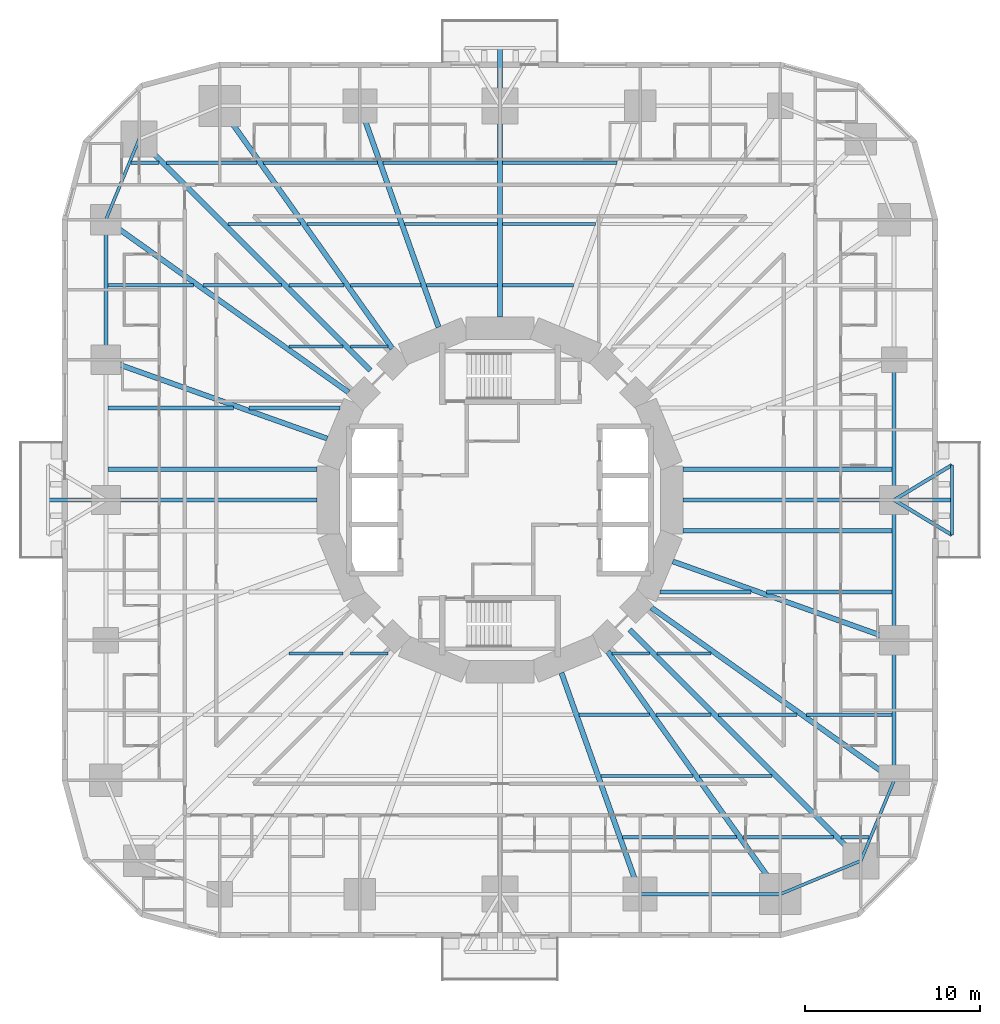
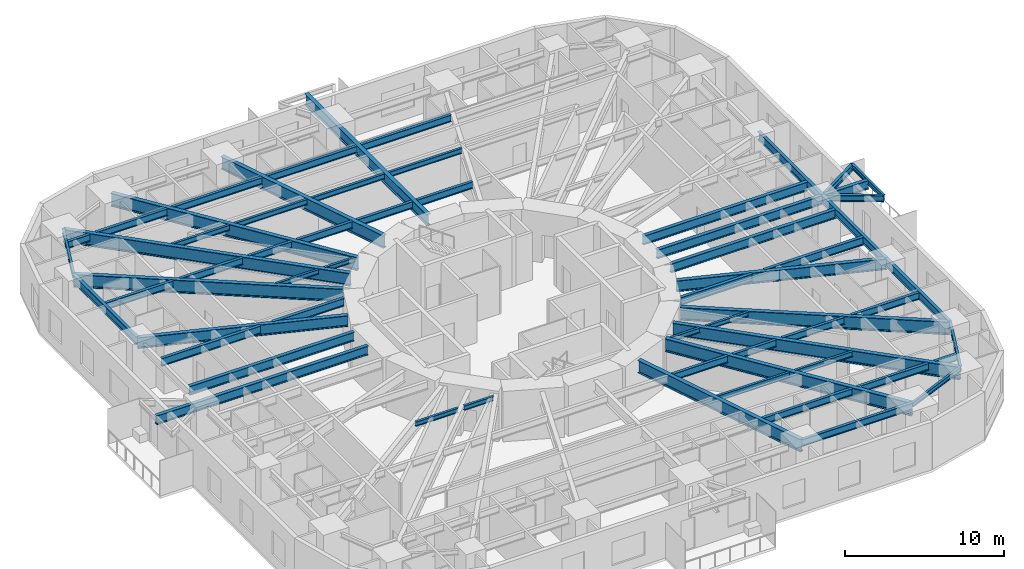
# One storey, part 2 of 14: 61 beams.
"""IFC4 building model written with IfcOpenShell, lengths in metres."""

from ifc_helpers import new_model, si_unit, direction, frame, origin, origin_2d, place, context, subcontext, project, spatial, i_section, extrude, material, material_profile, profile_set, type_object, element, save


model = new_model("IFC4")

# Units and contexts
model_context = context("Model", 3, precision=1e-05, world=origin(), true_north=direction((0.0, 1.0)))
body_context = subcontext(model_context, "Body", "Model", "MODEL_VIEW")
ifc_project = project(units=[si_unit("LENGTHUNIT", "METRE"), si_unit("AREAUNIT", "SQUARE_METRE"), si_unit("VOLUMEUNIT", "CUBIC_METRE"), si_unit("PLANEANGLEUNIT", "RADIAN"), si_unit("MASSUNIT", "GRAM", prefix="KILO")], contexts=[model_context])

# Site, building, storey
site_placement = place(None, origin())
site = spatial("IfcSite", under=ifc_project, at=site_placement, CompositionType="ELEMENT")
building_placement = place(site_placement, origin())
building = spatial("IfcBuilding", under=site, at=building_placement, Name="Nakasero Lantern House", CompositionType="ELEMENT")
storey_placement = place(building_placement, frame((0.0, 0.0, 39.10009765625)))
storey = spatial("IfcBuildingStorey", under=building, at=storey_placement, Name="L09", CompositionType="ELEMENT", Elevation=39.10009765625)

# Beams
ifc_material_1 = material(Name="Steel S355", Category="steel")
ifc_material_profile_1 = material_profile(ifc_material_1, i_section(OverallWidth=0.199462890625, OverallDepth=0.491943359375, WebThickness=0.01806640625, FlangeThickness=0.031982421875, FilletRadius=0.01025390625, at=origin_2d()), Name="UB 457x191x161")
ifc_profile_set_1 = profile_set([ifc_material_profile_1], Name="Steel S355")
beam_type_1 = type_object("IfcBeamType", Name="Balcony splay beam UB 457x191x161", PredefinedType="BEAM", material=ifc_profile_set_1)
for number, where, z_axis, x_axis, name in (
    (1, (22.5, 0.0, 3.40380859375), (0.855201230787, 0.518296107317, 0.0), (-0.518296107317, 0.855201230787, 0.0), "Balcony splay beam L10 B1-C03A"),
    (2, (22.5, 0.0, 3.40380859375), (0.855201230787, -0.518296107317, 0.0), (0.518296107317, 0.855201230787, 0.0), "Balcony splay beam L10 B1-C03B"),
):
    element("IfcBeam", number, at=place(storey_placement, frame(where, z_axis=z_axis, x_axis=x_axis)), inside=storey, type_object=beam_type_1, Name=name, PredefinedType="BEAM", context=body_context, shape_type="SweptSolid", body=[
        extrude(i_section(OverallWidth=0.199462890625, OverallDepth=0.491943359375, WebThickness=0.01806640625, FlangeThickness=0.031982421875, FilletRadius=0.01025390625, at=origin_2d()), origin(), (0.0, 0.0, 1.0), 3.85888671875),
    ])
ifc_material_2 = material(Name="Steel S355", Category="steel")
ifc_material_profile_2 = material_profile(ifc_material_2, i_section(OverallWidth=0.17138671875, OverallDepth=0.35498046875, WebThickness=0.00732421875, FlangeThickness=0.011474609375, FilletRadius=0.01025390625, at=origin_2d()), Name="UB 356x171x51")
ifc_profile_set_2 = profile_set([ifc_material_profile_2], Name="Steel S355")
beam_type_2 = type_object("IfcBeamType", Name="Balcony tie beam UB 356x171x51", PredefinedType="BEAM", material=ifc_profile_set_2)
beam_1_placement = place(storey_placement, frame((25.800048828125, 2.0, 3.472412109375), z_axis=(0.0, -1.0, 0.0), x_axis=(1.0, 0.0, 0.0)))
element("IfcBeam", 3, at=beam_1_placement, inside=storey, type_object=beam_type_2, Name="Balcony tie beam L10 B1-C03", PredefinedType="BEAM", context=body_context, shape_type="SweptSolid", body=[
    extrude(i_section(OverallWidth=0.17138671875, OverallDepth=0.35498046875, WebThickness=0.00732421875, FlangeThickness=0.011474609375, FilletRadius=0.01025390625, at=origin_2d()), origin(), (0.0, 0.0, 1.0), 4.0),
])
ifc_material_3 = material(Name="Steel S355", Category="steel")
ifc_material_profile_3 = material_profile(ifc_material_3, i_section(OverallWidth=0.17138671875, OverallDepth=0.35498046875, WebThickness=0.00732421875, FlangeThickness=0.011474609375, FilletRadius=0.01025390625, at=origin_2d()), Name="UB 356x171x51")
ifc_profile_set_3 = profile_set([ifc_material_profile_3], Name="Steel S355")
beam_type_3 = type_object("IfcBeamType", Name="Infill beam UB 356x171x51", PredefinedType="JOIST", material=ifc_profile_set_3)
beam_2_placement = place(storey_placement, frame((-12.0458984375, -8.75, 3.472412109375), z_axis=(1.0, 0.0, 0.0), x_axis=(0.0, 1.0, 0.0)))
element("IfcBeam", 4, at=beam_2_placement, inside=storey, type_object=beam_type_3, Name="Infill beam L10 05.1", PredefinedType="JOIST", context=body_context, shape_type="SweptSolid", body=[
    extrude(i_section(OverallWidth=0.17138671875, OverallDepth=0.35498046875, WebThickness=0.00732421875, FlangeThickness=0.011474609375, FilletRadius=0.01025390625, at=origin_2d()), origin(), (0.0, 0.0, 1.0), 3.083740234375),
])
for number, where, z_axis, x_axis, name in (
    (5, (-8.537841796875, -8.75, 3.472412109375), (1.0, 0.0, 0.0), (0.0, 1.0, 0.0), "Infill beam L10 05.2"),
    (6, (6.40625, -8.75, 3.472412109375), (1.0, 0.0, 0.0), (0.0, 1.0, 0.0), "Infill beam L10 05.3"),
):
    element("IfcBeam", number, at=place(storey_placement, frame(where, z_axis=z_axis, x_axis=x_axis)), inside=storey, type_object=beam_type_3, Name=name, PredefinedType="JOIST", context=body_context, shape_type="SweptSolid", body=[
        extrude(i_section(OverallWidth=0.17138671875, OverallDepth=0.35498046875, WebThickness=0.00732421875, FlangeThickness=0.011474609375, FilletRadius=0.01025390625, at=origin_2d()), origin(), (0.0, 0.0, 1.0), 2.131591796875),
    ])
for number, where, z_axis, x_axis, name in (
    (7, (8.962158203125, -8.75, 3.472412109375), (1.0, 0.0, 0.0), (0.0, 1.0, 0.0), "Infill beam L10 05.4"),
    (8, (-12.0458984375, 8.75, 3.472412109375), (1.0, 0.0, 0.0), (0.0, 1.0, 0.0), "Infill beam L10 10.1"),
):
    element("IfcBeam", number, at=place(storey_placement, frame(where, z_axis=z_axis, x_axis=x_axis)), inside=storey, type_object=beam_type_3, Name=name, PredefinedType="JOIST", context=body_context, shape_type="SweptSolid", body=[
        extrude(i_section(OverallWidth=0.17138671875, OverallDepth=0.35498046875, WebThickness=0.00732421875, FlangeThickness=0.011474609375, FilletRadius=0.01025390625, at=origin_2d()), origin(), (0.0, 0.0, 1.0), 3.083740234375),
    ])
beam_3_placement = place(storey_placement, frame((-8.537841796875, 8.75, 3.472412109375), z_axis=(1.0, 0.0, 0.0), x_axis=(0.0, 1.0, 0.0)))
element("IfcBeam", 9, at=beam_3_placement, inside=storey, type_object=beam_type_3, Name="Infill beam L10 10.2", PredefinedType="JOIST", context=body_context, shape_type="SweptSolid", body=[
    extrude(i_section(OverallWidth=0.17138671875, OverallDepth=0.35498046875, WebThickness=0.00732421875, FlangeThickness=0.011474609375, FilletRadius=0.01025390625, at=origin_2d()), origin(), (0.0, 0.0, 1.0), 2.131591796875),
])
ifc_material_4 = material(Name="Steel S355", Category="steel")
ifc_material_profile_4 = material_profile(ifc_material_4, i_section(OverallWidth=0.177978515625, OverallDepth=0.406494140625, WebThickness=0.0078125, FlangeThickness=0.0126953125, FilletRadius=0.01025390625, at=origin_2d()), Name="UB 406x178x60")
ifc_profile_set_4 = profile_set([ifc_material_profile_4], Name="Steel S355")
beam_type_4 = type_object("IfcBeamType", Name="Infill beam UB 406x178x60", PredefinedType="JOIST", material=ifc_profile_set_4)
beam_4_placement = place(storey_placement, frame((5.75927734375, -15.75, 3.44677734375), z_axis=(1.0, 0.0, 0.0), x_axis=(0.0, 1.0, 0.0)))
element("IfcBeam", 10, at=beam_4_placement, inside=storey, type_object=beam_type_4, Name="Infill beam L10 03.5", PredefinedType="JOIST", context=body_context, shape_type="SweptSolid", body=[
    extrude(i_section(OverallWidth=0.177978515625, OverallDepth=0.406494140625, WebThickness=0.0078125, FlangeThickness=0.0126953125, FilletRadius=0.01025390625, at=origin_2d()), origin(), (0.0, 0.0, 1.0), 5.256591796875),
])
for number, where, z_axis, x_axis, name in (
    (11, (11.384033203125, -15.75, 3.44677734375), (1.0, 0.0, 0.0), (0.0, 1.0, 0.0), "Infill beam L10 03.6"),
    (12, (-15.537841796875, 15.75, 3.44677734375), (1.0, 0.0, 0.0), (0.0, 1.0, 0.0), "Infill beam L10 12.1"),
):
    element("IfcBeam", number, at=place(storey_placement, frame(where, z_axis=z_axis, x_axis=x_axis)), inside=storey, type_object=beam_type_4, Name=name, PredefinedType="JOIST", context=body_context, shape_type="SweptSolid", body=[
        extrude(i_section(OverallWidth=0.177978515625, OverallDepth=0.406494140625, WebThickness=0.0078125, FlangeThickness=0.0126953125, FilletRadius=0.01025390625, at=origin_2d()), origin(), (0.0, 0.0, 1.0), 4.15380859375),
    ])
beam_5_placement = place(storey_placement, frame((-11.015869140625, 15.75, 3.44677734375), z_axis=(1.0, 0.0, 0.0), x_axis=(0.0, 1.0, 0.0)))
element("IfcBeam", 13, at=beam_5_placement, inside=storey, type_object=beam_type_4, Name="Infill beam L10 12.2", PredefinedType="JOIST", context=body_context, shape_type="SweptSolid", body=[
    extrude(i_section(OverallWidth=0.177978515625, OverallDepth=0.406494140625, WebThickness=0.0078125, FlangeThickness=0.0126953125, FilletRadius=0.01025390625, at=origin_2d()), origin(), (0.0, 0.0, 1.0), 5.256591796875),
])
for number, where, z_axis, x_axis, name in (
    (14, (-5.44091796875, 15.75, 3.44677734375), (1.0, 0.0, 0.0), (0.0, 1.0, 0.0), "Infill beam L10 12.3"),
    (15, (0.146240234375, 15.75, 3.44677734375), (1.0, 0.0, 0.0), (0.0, 1.0, 0.0), "Infill beam L10 12.4"),
):
    element("IfcBeam", number, at=place(storey_placement, frame(where, z_axis=z_axis, x_axis=x_axis)), inside=storey, type_object=beam_type_4, Name=name, PredefinedType="JOIST", context=body_context, shape_type="SweptSolid", body=[
        extrude(i_section(OverallWidth=0.177978515625, OverallDepth=0.406494140625, WebThickness=0.0078125, FlangeThickness=0.0126953125, FilletRadius=0.01025390625, at=origin_2d()), origin(), (0.0, 0.0, 1.0), 5.294677734375),
    ])
ifc_material_5 = material(Name="Steel S355", Category="steel")
ifc_material_profile_5 = material_profile(ifc_material_5, i_section(OverallWidth=0.208740234375, OverallDepth=0.5283203125, WebThickness=0.009521484375, FlangeThickness=0.01318359375, FilletRadius=0.0126953125, at=origin_2d()), Name="UB 533x210x82")
ifc_profile_set_5 = profile_set([ifc_material_profile_5], Name="Steel S355")
beam_type_5 = type_object("IfcBeamType", Name="Infill beam UB 533x210x82", PredefinedType="JOIST", material=ifc_profile_set_5)
beam_6_placement = place(storey_placement, frame((7.003662109375, -19.25, 3.3857421875), z_axis=(1.0, 0.0, 0.0), x_axis=(0.0, 1.0, 0.0)))
element("IfcBeam", 16, at=beam_6_placement, inside=storey, type_object=beam_type_5, Name="Infill beam L10 02.6", PredefinedType="JOIST", context=body_context, shape_type="SweptSolid", body=[
    extrude(i_section(OverallWidth=0.208740234375, OverallDepth=0.5283203125, WebThickness=0.009521484375, FlangeThickness=0.01318359375, FilletRadius=0.0126953125, at=origin_2d()), origin(), (0.0, 0.0, 1.0), 6.501220703125),
])
beam_7_placement = place(storey_placement, frame((13.873046875, -19.25, 3.3857421875), z_axis=(1.0, 0.0, 0.0), x_axis=(0.0, 1.0, 0.0)))
element("IfcBeam", 17, at=beam_7_placement, inside=storey, type_object=beam_type_5, Name="Infill beam L10 02.7", PredefinedType="JOIST", context=body_context, shape_type="SweptSolid", body=[
    extrude(i_section(OverallWidth=0.208740234375, OverallDepth=0.5283203125, WebThickness=0.009521484375, FlangeThickness=0.01318359375, FilletRadius=0.0126953125, at=origin_2d()), origin(), (0.0, 0.0, 1.0), 5.164794921875),
])
beam_8_placement = place(storey_placement, frame((19.462158203125, -19.25, 3.3857421875), z_axis=(1.0, 0.0, 0.0), x_axis=(0.0, 1.0, 0.0)))
element("IfcBeam", 18, at=beam_8_placement, inside=storey, type_object=beam_type_5, Name="Infill beam L10 02.8", PredefinedType="JOIST", context=body_context, shape_type="SweptSolid", body=[
    extrude(i_section(OverallWidth=0.208740234375, OverallDepth=0.5283203125, WebThickness=0.009521484375, FlangeThickness=0.01318359375, FilletRadius=0.0126953125, at=origin_2d()), origin(), (0.0, 0.0, 1.0), 1.598876953125),
])
beam_9_placement = place(storey_placement, frame((4.5146484375, -12.25, 3.3857421875), z_axis=(1.0, 0.0, 0.0), x_axis=(0.0, 1.0, 0.0)))
element("IfcBeam", 19, at=beam_9_placement, inside=storey, type_object=beam_type_5, Name="Infill beam L10 04.7", PredefinedType="JOIST", context=body_context, shape_type="SweptSolid", body=[
    extrude(i_section(OverallWidth=0.208740234375, OverallDepth=0.5283203125, WebThickness=0.009521484375, FlangeThickness=0.01318359375, FilletRadius=0.0126953125, at=origin_2d()), origin(), (0.0, 0.0, 1.0), 4.012451171875),
])
beam_10_placement = place(storey_placement, frame((8.895263671875, -12.25, 3.3857421875), z_axis=(1.0, 0.0, 0.0), x_axis=(0.0, 1.0, 0.0)))
element("IfcBeam", 20, at=beam_10_placement, inside=storey, type_object=beam_type_5, Name="Infill beam L10 04.8", PredefinedType="JOIST", context=body_context, shape_type="SweptSolid", body=[
    extrude(i_section(OverallWidth=0.208740234375, OverallDepth=0.5283203125, WebThickness=0.009521484375, FlangeThickness=0.01318359375, FilletRadius=0.0126953125, at=origin_2d()), origin(), (0.0, 0.0, 1.0), 3.142578125),
])
beam_11_placement = place(storey_placement, frame((12.462158203125, -12.25, 3.3857421875), z_axis=(1.0, 0.0, 0.0), x_axis=(0.0, 1.0, 0.0)))
element("IfcBeam", 21, at=beam_11_placement, inside=storey, type_object=beam_type_5, Name="Infill beam L10 04.9", PredefinedType="JOIST", context=body_context, shape_type="SweptSolid", body=[
    extrude(i_section(OverallWidth=0.208740234375, OverallDepth=0.5283203125, WebThickness=0.009521484375, FlangeThickness=0.01318359375, FilletRadius=0.0126953125, at=origin_2d()), origin(), (0.0, 0.0, 1.0), 4.505615234375),
])
for number, where, z_axis, x_axis, name in (
    (22, (17.4853515625, -12.25, 3.3857421875), (1.0, 0.0, 0.0), (0.0, 1.0, 0.0), "Infill beam L10 04.10"),
    (23, (-22.385498046875, 12.25, 3.3857421875), (1.0, 0.0, 0.0), (0.0, 1.0, 0.0), "Infill beam L10 11.1"),
):
    element("IfcBeam", number, at=place(storey_placement, frame(where, z_axis=z_axis, x_axis=x_axis)), inside=storey, type_object=beam_type_5, Name=name, PredefinedType="JOIST", context=body_context, shape_type="SweptSolid", body=[
        extrude(i_section(OverallWidth=0.208740234375, OverallDepth=0.5283203125, WebThickness=0.009521484375, FlangeThickness=0.01318359375, FilletRadius=0.0126953125, at=origin_2d()), origin(), (0.0, 0.0, 1.0), 4.900146484375),
    ])
beam_12_placement = place(storey_placement, frame((-16.9677734375, 12.25, 3.3857421875), z_axis=(1.0, 0.0, 0.0), x_axis=(0.0, 1.0, 0.0)))
element("IfcBeam", 24, at=beam_12_placement, inside=storey, type_object=beam_type_5, Name="Infill beam L10 11.2", PredefinedType="JOIST", context=body_context, shape_type="SweptSolid", body=[
    extrude(i_section(OverallWidth=0.208740234375, OverallDepth=0.5283203125, WebThickness=0.009521484375, FlangeThickness=0.01318359375, FilletRadius=0.0126953125, at=origin_2d()), origin(), (0.0, 0.0, 1.0), 4.505615234375),
])
beam_13_placement = place(storey_placement, frame((-12.037841796875, 12.25, 3.3857421875), z_axis=(1.0, 0.0, 0.0), x_axis=(0.0, 1.0, 0.0)))
element("IfcBeam", 25, at=beam_13_placement, inside=storey, type_object=beam_type_5, Name="Infill beam L10 11.3", PredefinedType="JOIST", context=body_context, shape_type="SweptSolid", body=[
    extrude(i_section(OverallWidth=0.208740234375, OverallDepth=0.5283203125, WebThickness=0.009521484375, FlangeThickness=0.01318359375, FilletRadius=0.0126953125, at=origin_2d()), origin(), (0.0, 0.0, 1.0), 3.142578125),
])
beam_14_placement = place(storey_placement, frame((-8.527099609375, 12.25, 3.3857421875), z_axis=(1.0, 0.0, 0.0), x_axis=(0.0, 1.0, 0.0)))
element("IfcBeam", 26, at=beam_14_placement, inside=storey, type_object=beam_type_5, Name="Infill beam L10 11.4", PredefinedType="JOIST", context=body_context, shape_type="SweptSolid", body=[
    extrude(i_section(OverallWidth=0.208740234375, OverallDepth=0.5283203125, WebThickness=0.009521484375, FlangeThickness=0.01318359375, FilletRadius=0.0126953125, at=origin_2d()), origin(), (0.0, 0.0, 1.0), 4.012451171875),
])
for number, where, z_axis, x_axis, name in (
    (27, (-4.1962890625, 12.25, 3.3857421875), (1.0, 0.0, 0.0), (0.0, 1.0, 0.0), "Infill beam L10 11.5"),
    (28, (0.146240234375, 12.25, 3.3857421875), (1.0, 0.0, 0.0), (0.0, 1.0, 0.0), "Infill beam L10 11.6"),
):
    element("IfcBeam", number, at=place(storey_placement, frame(where, z_axis=z_axis, x_axis=x_axis)), inside=storey, type_object=beam_type_5, Name=name, PredefinedType="JOIST", context=body_context, shape_type="SweptSolid", body=[
        extrude(i_section(OverallWidth=0.208740234375, OverallDepth=0.5283203125, WebThickness=0.009521484375, FlangeThickness=0.01318359375, FilletRadius=0.0126953125, at=origin_2d()), origin(), (0.0, 0.0, 1.0), 4.050048828125),
    ])
beam_15_placement = place(storey_placement, frame((-21.06103515625, 19.25, 3.3857421875), z_axis=(1.0, 0.0, 0.0), x_axis=(0.0, 1.0, 0.0)))
element("IfcBeam", 29, at=beam_15_placement, inside=storey, type_object=beam_type_5, Name="Infill beam L10 13.1", PredefinedType="JOIST", context=body_context, shape_type="SweptSolid", body=[
    extrude(i_section(OverallWidth=0.208740234375, OverallDepth=0.5283203125, WebThickness=0.009521484375, FlangeThickness=0.01318359375, FilletRadius=0.0126953125, at=origin_2d()), origin(), (0.0, 0.0, 1.0), 1.598876953125),
])
beam_16_placement = place(storey_placement, frame((-19.037841796875, 19.25, 3.3857421875), z_axis=(1.0, 0.0, 0.0), x_axis=(0.0, 1.0, 0.0)))
element("IfcBeam", 30, at=beam_16_placement, inside=storey, type_object=beam_type_5, Name="Infill beam L10 13.2", PredefinedType="JOIST", context=body_context, shape_type="SweptSolid", body=[
    extrude(i_section(OverallWidth=0.208740234375, OverallDepth=0.5283203125, WebThickness=0.009521484375, FlangeThickness=0.01318359375, FilletRadius=0.0126953125, at=origin_2d()), origin(), (0.0, 0.0, 1.0), 5.164794921875),
])
beam_17_placement = place(storey_placement, frame((-13.5048828125, 19.25, 3.3857421875), z_axis=(1.0, 0.0, 0.0), x_axis=(0.0, 1.0, 0.0)))
element("IfcBeam", 31, at=beam_17_placement, inside=storey, type_object=beam_type_5, Name="Infill beam L10 13.3", PredefinedType="JOIST", context=body_context, shape_type="SweptSolid", body=[
    extrude(i_section(OverallWidth=0.208740234375, OverallDepth=0.5283203125, WebThickness=0.009521484375, FlangeThickness=0.01318359375, FilletRadius=0.0126953125, at=origin_2d()), origin(), (0.0, 0.0, 1.0), 6.501220703125),
])
for number, where, z_axis, x_axis, name in (
    (32, (-6.685302734375, 19.25, 3.3857421875), (1.0, 0.0, 0.0), (0.0, 1.0, 0.0), "Infill beam L10 13.4"),
    (33, (0.146240234375, 19.25, 3.3857421875), (1.0, 0.0, 0.0), (0.0, 1.0, 0.0), "Infill beam L10 13.5"),
):
    element("IfcBeam", number, at=place(storey_placement, frame(where, z_axis=z_axis, x_axis=x_axis)), inside=storey, type_object=beam_type_5, Name=name, PredefinedType="JOIST", context=body_context, shape_type="SweptSolid", body=[
        extrude(i_section(OverallWidth=0.208740234375, OverallDepth=0.5283203125, WebThickness=0.009521484375, FlangeThickness=0.01318359375, FilletRadius=0.0126953125, at=origin_2d()), origin(), (0.0, 0.0, 1.0), 6.5390625),
    ])
ifc_material_6 = material(Name="Steel S355", Category="steel")
ifc_material_profile_6 = material_profile(ifc_material_6, i_section(OverallWidth=0.2275390625, OverallDepth=0.6025390625, WebThickness=0.010498046875, FlangeThickness=0.014892578125, FilletRadius=0.0126953125, at=origin_2d()), Name="UB 610x229x101")
ifc_profile_set_6 = profile_set([ifc_material_profile_6], Name="Steel S355")
beam_type_6 = type_object("IfcBeamType", Name="Infill beam UB 610x229x101", PredefinedType="JOIST", material=ifc_profile_set_6)
beam_18_placement = place(storey_placement, frame((9.144775390625, -5.25, 3.3486328125), z_axis=(1.0, 0.0, 0.0), x_axis=(0.0, 1.0, 0.0)))
element("IfcBeam", 34, at=beam_18_placement, inside=storey, type_object=beam_type_6, Name="Infill beam L10 06.3", PredefinedType="JOIST", context=body_context, shape_type="SweptSolid", body=[
    extrude(i_section(OverallWidth=0.2275390625, OverallDepth=0.6025390625, WebThickness=0.010498046875, FlangeThickness=0.014892578125, FilletRadius=0.0126953125, at=origin_2d()), origin(), (0.0, 0.0, 1.0), 5.184326171875),
])
for number, where, z_axis, x_axis, name in (
    (35, (15.2021484375, -5.25, 3.3486328125), (1.0, 0.0, 0.0), (0.0, 1.0, 0.0), "Infill beam L10 06.4"),
    (36, (-22.385498046875, 5.25, 3.3486328125), (1.0, 0.0, 0.0), (0.0, 1.0, 0.0), "Infill beam L10 09.1"),
):
    element("IfcBeam", number, at=place(storey_placement, frame(where, z_axis=z_axis, x_axis=x_axis)), inside=storey, type_object=beam_type_6, Name=name, PredefinedType="JOIST", context=body_context, shape_type="SweptSolid", body=[
        extrude(i_section(OverallWidth=0.2275390625, OverallDepth=0.6025390625, WebThickness=0.010498046875, FlangeThickness=0.014892578125, FilletRadius=0.0126953125, at=origin_2d()), origin(), (0.0, 0.0, 1.0), 7.183349609375),
    ])
beam_19_placement = place(storey_placement, frame((-14.3291015625, 5.25, 3.3486328125), z_axis=(1.0, 0.0, 0.0), x_axis=(0.0, 1.0, 0.0)))
element("IfcBeam", 37, at=beam_19_placement, inside=storey, type_object=beam_type_6, Name="Infill beam L10 09.2", PredefinedType="JOIST", context=body_context, shape_type="SweptSolid", body=[
    extrude(i_section(OverallWidth=0.2275390625, OverallDepth=0.6025390625, WebThickness=0.010498046875, FlangeThickness=0.014892578125, FilletRadius=0.0126953125, at=origin_2d()), origin(), (0.0, 0.0, 1.0), 5.184326171875),
])
ifc_material_7 = material(Name="Steel S355", Category="steel")
ifc_material_profile_7 = material_profile(ifc_material_7, i_section(OverallWidth=0.253662109375, OverallDepth=0.68359375, WebThickness=0.012451171875, FlangeThickness=0.01904296875, FilletRadius=0.01513671875, at=origin_2d()), Name="UB 686x254x140")
ifc_profile_set_7 = profile_set([ifc_material_profile_7], Name="Steel S355")
beam_type_7 = type_object("IfcBeamType", Name="Infill beam UB 686x254x140", PredefinedType="JOIST", material=ifc_profile_set_7)
for number, where, z_axis, x_axis, name in (
    (38, (10.457763671875, -1.75, 3.30810546875), (1.0, 0.0, 0.0), (0.0, 1.0, 0.0), "Infill beam L10 07.2"),
    (39, (-22.385498046875, 1.75, 3.30810546875), (1.0, 0.0, 0.0), (0.0, 1.0, 0.0), "Infill beam L10 08.1"),
    (40, (10.457763671875, 1.75, 3.30810546875), (1.0, 0.0, 0.0), (0.0, 1.0, 0.0), "Infill beam L10 08.2"),
):
    element("IfcBeam", number, at=place(storey_placement, frame(where, z_axis=z_axis, x_axis=x_axis)), inside=storey, type_object=beam_type_7, Name=name, PredefinedType="JOIST", context=body_context, shape_type="SweptSolid", body=[
        extrude(i_section(OverallWidth=0.253662109375, OverallDepth=0.68359375, WebThickness=0.012451171875, FlangeThickness=0.01904296875, FilletRadius=0.01513671875, at=origin_2d()), origin(), (0.0, 0.0, 1.0), 11.927734375),
    ])
ifc_material_8 = material(Name="Steel S355", Category="steel")
ifc_material_profile_8 = material_profile(ifc_material_8, i_section(OverallWidth=0.300048828125, OverallDepth=0.97021484375, WebThickness=0.01611328125, FlangeThickness=0.02099609375, FilletRadius=0.030029296875, at=origin_2d()), Name="UB 1016x305x222")
ifc_profile_set_8 = profile_set([ifc_material_profile_8], Name="Steel S355")
beam_type_8 = type_object("IfcBeamType", Name="Primary beam UB 1016x305x222, span 12 to 15 m", PredefinedType="BEAM", material=ifc_profile_set_8)
for number, where, z_axis, x_axis, name in (
    (41, (-8.0, 22.5, 3.164794921875), (0.335010745293, -0.942214307118, 0.0), (0.942214307118, 0.335010745293, 0.0), "Primary beam L10 B1-C10"),
    (42, (8.0, -22.5, 3.164794921875), (-0.335010745293, 0.942214307118, 0.0), (-0.942214307118, -0.335010745293, 0.0), "Primary beam L10 B1-C22"),
):
    element("IfcBeam", number, at=place(storey_placement, frame(where, z_axis=z_axis, x_axis=x_axis)), inside=storey, type_object=beam_type_8, Name=name, PredefinedType="BEAM", context=body_context, shape_type="SweptSolid", body=[
        extrude(i_section(OverallWidth=0.300048828125, OverallDepth=0.97021484375, WebThickness=0.01611328125, FlangeThickness=0.02099609375, FilletRadius=0.030029296875, at=origin_2d()), origin(), (0.0, 0.0, 1.0), 13.408447265625),
    ])
ifc_material_9 = material(Name="Steel S355", Category="steel")
ifc_material_profile_9 = material_profile(ifc_material_9, i_section(OverallWidth=0.300048828125, OverallDepth=0.989990234375, WebThickness=0.0166015625, FlangeThickness=0.031005859375, FilletRadius=0.030029296875, at=origin_2d()), Name="UB 1016x305x272")
ifc_profile_set_9 = profile_set([ifc_material_profile_9], Name="Steel S355")
beam_type_9 = type_object("IfcBeamType", Name="Primary beam UB 1016x305x272, span over 15 m", PredefinedType="BEAM", material=ifc_profile_set_9)
beam_20_placement = place(storey_placement, frame((22.5, -16.0, 3.15478515625), z_axis=(-0.814952159915, 0.579528236629, 0.0), x_axis=(-0.579528236629, -0.814952159915, 0.0)))
element("IfcBeam", 43, at=beam_20_placement, inside=storey, type_object=beam_type_9, Name="Primary beam L10 B1-C01", PredefinedType="BEAM", context=body_context, shape_type="SweptSolid", body=[
    extrude(i_section(OverallWidth=0.300048828125, OverallDepth=0.989990234375, WebThickness=0.0166015625, FlangeThickness=0.031005859375, FilletRadius=0.030029296875, at=origin_2d()), origin(), (0.0, 0.0, 1.0), 17.003173828125),
])
beam_21_placement = place(storey_placement, frame((-20.59619140625, 20.59619140625, 3.15478515625), z_axis=(0.707106781187, -0.707106781187, 0.0), x_axis=(0.707106781187, 0.707106781187, 0.0)))
element("IfcBeam", 44, at=beam_21_placement, inside=storey, type_object=beam_type_9, Name="Primary beam L10 B1-C12", PredefinedType="BEAM", context=body_context, shape_type="SweptSolid", body=[
    extrude(i_section(OverallWidth=0.300048828125, OverallDepth=0.989990234375, WebThickness=0.0166015625, FlangeThickness=0.031005859375, FilletRadius=0.030029296875, at=origin_2d()), origin(), (0.0, 0.0, 1.0), 18.669677734375),
])
beam_22_placement = place(storey_placement, frame((-22.5, 16.0, 3.15478515625), z_axis=(0.814952159915, -0.579528236629, 0.0), x_axis=(0.579528236629, 0.814952159915, 0.0)))
element("IfcBeam", 45, at=beam_22_placement, inside=storey, type_object=beam_type_9, Name="Primary beam L10 B1-C13", PredefinedType="BEAM", context=body_context, shape_type="SweptSolid", body=[
    extrude(i_section(OverallWidth=0.300048828125, OverallDepth=0.989990234375, WebThickness=0.0166015625, FlangeThickness=0.031005859375, FilletRadius=0.030029296875, at=origin_2d()), origin(), (0.0, 0.0, 1.0), 17.003173828125),
])
beam_23_placement = place(storey_placement, frame((20.59619140625, -20.59619140625, 3.15478515625), z_axis=(-0.707106781187, 0.707106781187, 0.0), x_axis=(-0.707106781187, -0.707106781187, 0.0)))
element("IfcBeam", 46, at=beam_23_placement, inside=storey, type_object=beam_type_9, Name="Primary beam L10 B1-C24", PredefinedType="BEAM", context=body_context, shape_type="SweptSolid", body=[
    extrude(i_section(OverallWidth=0.300048828125, OverallDepth=0.989990234375, WebThickness=0.0166015625, FlangeThickness=0.031005859375, FilletRadius=0.030029296875, at=origin_2d()), origin(), (0.0, 0.0, 1.0), 18.669677734375),
])
ifc_material_10 = material(Name="Steel S355", Category="steel")
ifc_material_profile_10 = material_profile(ifc_material_10, i_section(OverallWidth=0.300048828125, OverallDepth=1.0, WebThickness=0.01904296875, FlangeThickness=0.035888671875, FilletRadius=0.030029296875, at=origin_2d()), Name="UB 1016x305x314")
ifc_profile_set_10 = profile_set([ifc_material_profile_10], Name="Steel S355")
beam_type_10 = type_object("IfcBeamType", Name="Primary beam UB 1016x305x314, span over 15 m", PredefinedType="BEAM", material=ifc_profile_set_10)
for number, where, z_axis, x_axis, name in (
    (47, (-16.0, 22.5, 3.14990234375), (0.579528236629, -0.814952159915, 0.0), (0.814952159915, 0.579528236629, 0.0), "Primary beam L10 B1-C11"),
    (48, (16.0, -22.5, 3.14990234375), (-0.579528236629, 0.814952159915, 0.0), (-0.814952159915, -0.579528236629, 0.0), "Primary beam L10 B1-C23"),
):
    element("IfcBeam", number, at=place(storey_placement, frame(where, z_axis=z_axis, x_axis=x_axis)), inside=storey, type_object=beam_type_10, Name=name, PredefinedType="BEAM", context=body_context, shape_type="SweptSolid", body=[
        extrude(i_section(OverallWidth=0.300048828125, OverallDepth=1.0, WebThickness=0.01904296875, FlangeThickness=0.035888671875, FilletRadius=0.030029296875, at=origin_2d()), origin(), (0.0, 0.0, 1.0), 17.003173828125),
    ])
ifc_material_11 = material(Name="Steel S355", Category="steel")
ifc_material_profile_11 = material_profile(ifc_material_11, i_section(OverallWidth=0.255859375, OverallDepth=0.69287109375, WebThickness=0.014404296875, FlangeThickness=0.023681640625, FilletRadius=0.01513671875, at=origin_2d()), Name="UB 686x254x170")
ifc_profile_set_11 = profile_set([ifc_material_profile_11], Name="Steel S355")
beam_type_11 = type_object("IfcBeamType", Name="Primary beam UB 686x254x170, span 12 to 15 m", PredefinedType="BEAM", material=ifc_profile_set_11)
for number, where, z_axis, x_axis, name in (
    (49, (25.800048828125, 0.0, 3.303466796875), (-1.0, 0.0, 0.0), (0.0, -1.0, 0.0), "Primary beam L10 B1-C03"),
    (50, (-25.800048828125, 0.0, 3.303466796875), (1.0, 0.0, 0.0), (0.0, 1.0, 0.0), "Primary beam L10 B1-C15"),
):
    element("IfcBeam", number, at=place(storey_placement, frame(where, z_axis=z_axis, x_axis=x_axis)), inside=storey, type_object=beam_type_11, Name=name, PredefinedType="BEAM", context=body_context, shape_type="SweptSolid", body=[
        extrude(i_section(OverallWidth=0.255859375, OverallDepth=0.69287109375, WebThickness=0.014404296875, FlangeThickness=0.023681640625, FilletRadius=0.01513671875, at=origin_2d()), origin(), (0.0, 0.0, 1.0), 15.34228515625),
    ])
ifc_material_12 = material(Name="Steel S355", Category="steel")
ifc_material_profile_12 = material_profile(ifc_material_12, i_section(OverallWidth=0.29248046875, OverallDepth=0.8408203125, WebThickness=0.0146484375, FlangeThickness=0.02685546875, FilletRadius=0.017822265625, at=origin_2d()), Name="UB 838x292x194")
ifc_profile_set_12 = profile_set([ifc_material_profile_12], Name="Steel S355")
beam_type_12 = type_object("IfcBeamType", Name="Primary beam UB 838x292x194, span 12 to 15 m", PredefinedType="BEAM", material=ifc_profile_set_12)
beam_24_placement = place(storey_placement, frame((22.5, -8.0, 3.2294921875), z_axis=(-0.942214307118, 0.335010745293, 0.0), x_axis=(-0.335010745293, -0.942214307118, 0.0)))
element("IfcBeam", 51, at=beam_24_placement, inside=storey, type_object=beam_type_12, Name="Primary beam L10 B1-C02", PredefinedType="BEAM", context=body_context, shape_type="SweptSolid", body=[
    extrude(i_section(OverallWidth=0.29248046875, OverallDepth=0.8408203125, WebThickness=0.0146484375, FlangeThickness=0.02685546875, FilletRadius=0.017822265625, at=origin_2d()), origin(), (0.0, 0.0, 1.0), 13.408447265625),
])
beam_25_placement = place(storey_placement, frame((0.0, 25.800048828125, 3.2294921875), z_axis=(0.0, -1.0, 0.0), x_axis=(1.0, 0.0, 0.0)))
element("IfcBeam", 52, at=beam_25_placement, inside=storey, type_object=beam_type_12, Name="Primary beam L10 B1-C09", PredefinedType="BEAM", context=body_context, shape_type="SweptSolid", body=[
    extrude(i_section(OverallWidth=0.29248046875, OverallDepth=0.8408203125, WebThickness=0.0146484375, FlangeThickness=0.02685546875, FilletRadius=0.017822265625, at=origin_2d()), origin(), (0.0, 0.0, 1.0), 15.34228515625),
])
beam_26_placement = place(storey_placement, frame((-22.5, 8.0, 3.2294921875), z_axis=(0.942214307118, -0.335010745293, 0.0), x_axis=(0.335010745293, 0.942214307118, 0.0)))
element("IfcBeam", 53, at=beam_26_placement, inside=storey, type_object=beam_type_12, Name="Primary beam L10 B1-C14", PredefinedType="BEAM", context=body_context, shape_type="SweptSolid", body=[
    extrude(i_section(OverallWidth=0.29248046875, OverallDepth=0.8408203125, WebThickness=0.0146484375, FlangeThickness=0.02685546875, FilletRadius=0.017822265625, at=origin_2d()), origin(), (0.0, 0.0, 1.0), 13.408447265625),
])
ifc_material_13 = material(Name="Steel S355", Category="steel")
ifc_material_profile_13 = material_profile(ifc_material_13, i_section(OverallWidth=0.17138671875, OverallDepth=0.35498046875, WebThickness=0.00732421875, FlangeThickness=0.011474609375, FilletRadius=0.01025390625, at=origin_2d()), Name="UB 356x171x51")
ifc_profile_set_13 = profile_set([ifc_material_profile_13], Name="Steel S355")
beam_type_13 = type_object("IfcBeamType", Name="Ring beam UB 356x171x51", PredefinedType="BEAM", material=ifc_profile_set_13)
for number, where, z_axis, x_axis, name in (
    (54, (-20.59619140625, 20.59619140625, 3.472412109375), (-0.382684080569, -0.923879264016, 0.0), (0.923879264016, -0.382684080569, 0.0), "Ring beam L10 B1-C12"),
    (55, (16.0, -22.5, 3.472412109375), (0.923879264016, 0.382684080569, 0.0), (-0.382684080569, 0.923879264016, 0.0), "Ring beam L10 B1-C23"),
    (56, (20.59619140625, -20.59619140625, 3.472412109375), (0.382684080569, 0.923879264016, 0.0), (-0.923879264016, 0.382684080569, 0.0), "Ring beam L10 B1-C24"),
):
    element("IfcBeam", number, at=place(storey_placement, frame(where, z_axis=z_axis, x_axis=x_axis)), inside=storey, type_object=beam_type_13, Name=name, PredefinedType="BEAM", context=body_context, shape_type="SweptSolid", body=[
        extrude(i_section(OverallWidth=0.17138671875, OverallDepth=0.35498046875, WebThickness=0.00732421875, FlangeThickness=0.011474609375, FilletRadius=0.01025390625, at=origin_2d()), origin(), (0.0, 0.0, 1.0), 4.974853515625),
    ])
ifc_material_14 = material(Name="Steel S355", Category="steel")
ifc_material_profile_14 = material_profile(ifc_material_14, i_section(OverallWidth=0.2099609375, OverallDepth=0.53662109375, WebThickness=0.0107421875, FlangeThickness=0.017333984375, FilletRadius=0.0126953125, at=origin_2d()), Name="UB 533x210x101")
ifc_profile_set_14 = profile_set([ifc_material_profile_14], Name="Steel S355")
beam_type_14 = type_object("IfcBeamType", Name="Ring beam UB 533x210x101", PredefinedType="BEAM", material=ifc_profile_set_14)
beam_27_placement = place(storey_placement, frame((8.0, -22.5, 3.381591796875), z_axis=(1.0, 0.0, 0.0), x_axis=(0.0, 1.0, 0.0)))
element("IfcBeam", 57, at=beam_27_placement, inside=storey, type_object=beam_type_14, Name="Ring beam L10 B1-C22", PredefinedType="BEAM", context=body_context, shape_type="SweptSolid", body=[
    extrude(i_section(OverallWidth=0.2099609375, OverallDepth=0.53662109375, WebThickness=0.0107421875, FlangeThickness=0.017333984375, FilletRadius=0.0126953125, at=origin_2d()), origin(), (0.0, 0.0, 1.0), 8.0),
])
ifc_material_15 = material(Name="Steel S355", Category="steel")
ifc_material_profile_15 = material_profile(ifc_material_15, i_section(OverallWidth=0.22900390625, OverallDepth=0.6123046875, WebThickness=0.011962890625, FlangeThickness=0.01953125, FilletRadius=0.0126953125, at=origin_2d()), Name="UB 610x229x125")
ifc_profile_set_15 = profile_set([ifc_material_profile_15], Name="Steel S355")
beam_type_15 = type_object("IfcBeamType", Name="Ring beam UB 610x229x125", PredefinedType="BEAM", material=ifc_profile_set_15)
for number, where, z_axis, x_axis, name in (
    (58, (22.5, -16.0, 3.34375), (0.0, 1.0, 0.0), (-1.0, 0.0, 0.0), "Ring beam L10 B1-C01"),
    (59, (22.5, -8.0, 3.34375), (0.0, 1.0, 0.0), (-1.0, 0.0, 0.0), "Ring beam L10 B1-C02"),
    (60, (22.5, 0.0, 3.34375), (0.0, 1.0, 0.0), (-1.0, 0.0, 0.0), "Ring beam L10 B1-C03"),
    (61, (-22.5, 16.0, 3.34375), (0.0, -1.0, 0.0), (1.0, 0.0, 0.0), "Ring beam L10 B1-C13"),
):
    element("IfcBeam", number, at=place(storey_placement, frame(where, z_axis=z_axis, x_axis=x_axis)), inside=storey, type_object=beam_type_15, Name=name, PredefinedType="BEAM", context=body_context, shape_type="SweptSolid", body=[
        extrude(i_section(OverallWidth=0.22900390625, OverallDepth=0.6123046875, WebThickness=0.011962890625, FlangeThickness=0.01953125, FilletRadius=0.0126953125, at=origin_2d()), origin(), (0.0, 0.0, 1.0), 8.0),
    ])

save(model, "model.ifc")
